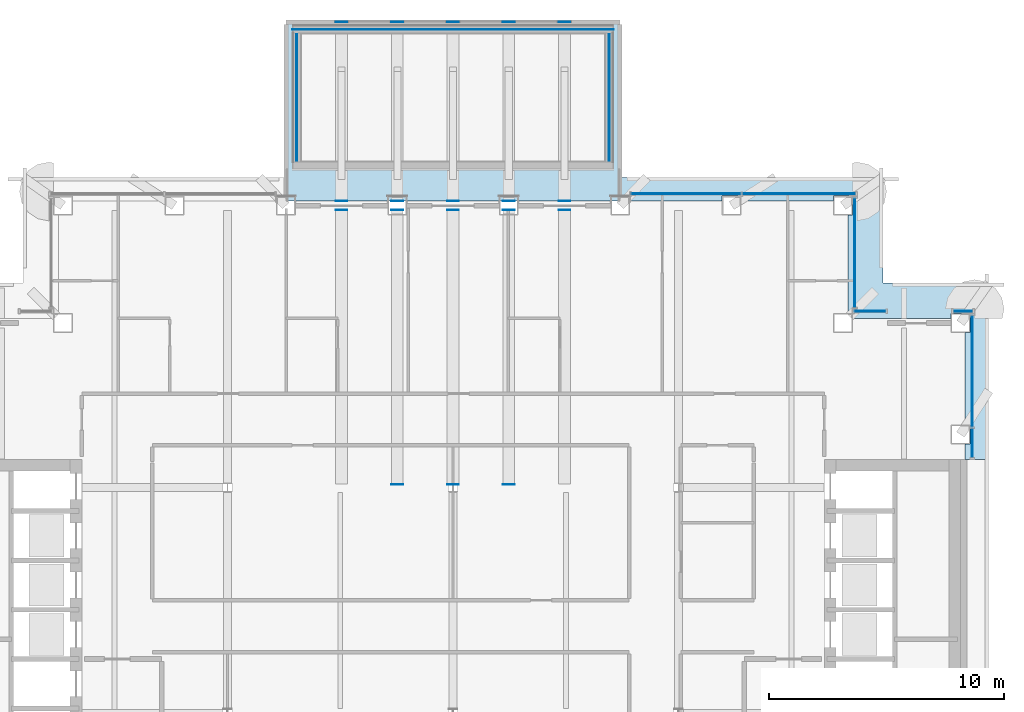
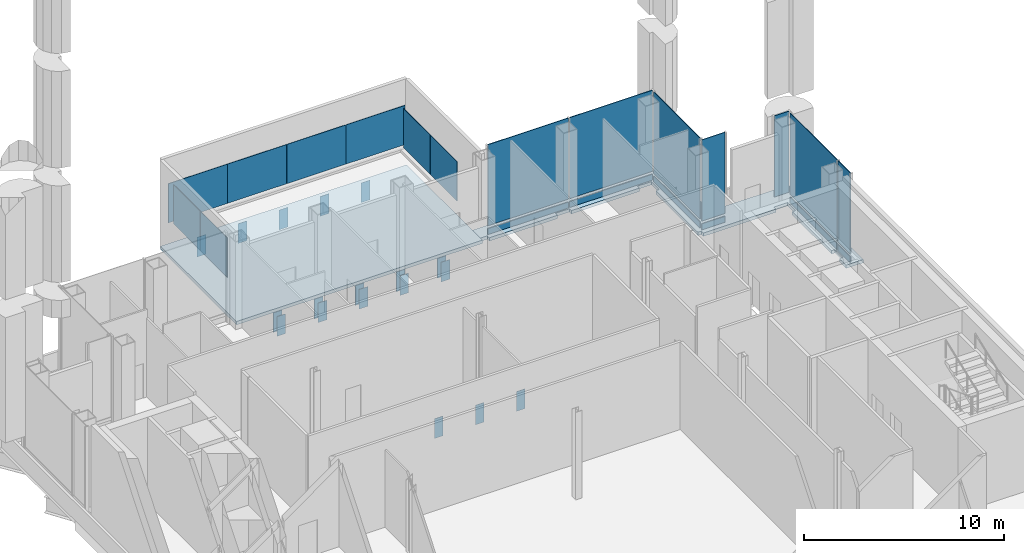
# One storey, part 9 of 22: 39 plates, 2 slabs, 5 elements without a shape of their own.
"""IFC4 building model written with IfcOpenShell, lengths in metres."""

from ifc_helpers import new_model, si_unit, direction, frame, origin, origin_2d, place, context, subcontext, project, spatial, polyline, rectangle, outline, extrude, material, layer, layer_set, type_object, element, aggregate, save


model = new_model("IFC4")

# Units and contexts
model_context = context("Model", 3, precision=1e-05, world=origin(), true_north=direction((0.0, 1.0)))
body_context = subcontext(model_context, "Body", "Model", "MODEL_VIEW")
ifc_project = project(units=[si_unit("LENGTHUNIT", "METRE"), si_unit("AREAUNIT", "SQUARE_METRE"), si_unit("VOLUMEUNIT", "CUBIC_METRE"), si_unit("PLANEANGLEUNIT", "RADIAN"), si_unit("MASSUNIT", "GRAM", prefix="KILO")], contexts=[model_context])

# Site, building, storey
site_placement = place(None, origin())
site = spatial("IfcSite", under=ifc_project, at=site_placement, CompositionType="ELEMENT")
building_placement = place(site_placement, origin())
building = spatial("IfcBuilding", under=site, at=building_placement, Name="Cobrizo Arcos Hotel Tower", CompositionType="ELEMENT")
storey_placement = place(building_placement, frame((0.0, 0.0, 142.5)))
storey = spatial("IfcBuildingStorey", under=building, at=storey_placement, Name="L36", CompositionType="ELEMENT", Elevation=142.5)

# Curtain wall, plates
ifc_material_1 = material(Name="Aluminium 6063-T6 anodised bronze", Category="aluminium")
curtain_wall_type = type_object("IfcCurtainWallType", Name="CW-E sky lobby glazing", PredefinedType="NOTDEFINED", material=ifc_material_1)
curtain_wall_1_placement = place(storey_placement, origin())
curtain_wall_1 = element("IfcCurtainWall", 1, at=curtain_wall_1_placement, inside=storey, type_object=curtain_wall_type, Name="CW-E L36 E face", PredefinedType="NOTDEFINED")
ifc_material_2 = material(Name="Glass clear laminated low-e", Category="glass")
ifc_layer_1 = layer(ifc_material_2, 0.050048828125)
ifc_layer_set_1 = layer_set([ifc_layer_1], Name="CW-E glass panel")
plate_type_1 = type_object("IfcPlateType", Name="CW-E glass panel", PredefinedType="CURTAIN_PANEL", material=ifc_layer_set_1)
plate_1_placement = place(storey_placement, frame((22.10009765625, 11.491455078125, 0.5400390625), z_axis=(0.0, 0.0, 1.0), x_axis=(0.0, 1.0, 0.0)))
plate_1 = element("IfcPlate", 2, at=plate_1_placement, type_object=plate_type_1, Name="CW-E glass panel 1318", PredefinedType="CURTAIN_PANEL", context=body_context, shape_type="SweptSolid", body=[
    extrude(rectangle(XDim=1.222900390625, YDim=0.0400390625, at=origin_2d()), origin(), (0.0, 0.0, 1.0), 4.9599609375),
])
plate_2_placement = place(storey_placement, frame((22.10009765625, 14.551513671875, 0.5400390625), z_axis=(0.0, 0.0, 1.0), x_axis=(0.0, 1.0, 0.0)))
plate_2 = element("IfcPlate", 3, at=plate_2_placement, type_object=plate_type_1, Name="CW-E glass panel 1319", PredefinedType="CURTAIN_PANEL", context=body_context, shape_type="SweptSolid", body=[
    extrude(rectangle(XDim=4.737060546875, YDim=0.0400390625, at=origin_2d()), origin(), (0.0, 0.0, 1.0), 4.9599609375),
])

# Curtain wall, plate
curtain_wall_2_placement = place(storey_placement, origin())
curtain_wall_2 = element("IfcCurtainWall", 4, at=curtain_wall_2_placement, inside=storey, type_object=curtain_wall_type, Name="CW-E L36 N face", PredefinedType="NOTDEFINED")
plate_3_placement = place(storey_placement, frame((21.699951171875, 17.10009765625, 0.5400390625), z_axis=(0.0, 0.0, 1.0), x_axis=(-1.0, 0.0, 0.0)))
plate_3 = element("IfcPlate", 5, at=plate_3_placement, type_object=plate_type_1, Name="CW-E glass panel 1320", PredefinedType="CURTAIN_PANEL", context=body_context, shape_type="SweptSolid", body=[
    extrude(rectangle(XDim=0.840087890625, YDim=0.0400390625, at=origin_2d()), origin(), (0.0, 0.0, 1.0), 4.9599609375),
])
aggregate(curtain_wall_2, [plate_3])

curtain_wall_3_placement = place(storey_placement, origin())
curtain_wall_3 = element("IfcCurtainWall", 6, at=curtain_wall_3_placement, inside=storey, type_object=curtain_wall_type, Name="CW-E L36 N face", PredefinedType="NOTDEFINED")
plate_4_placement = place(storey_placement, frame((17.75, 17.10009765625, 0.5400390625), z_axis=(0.0, 0.0, 1.0), x_axis=(-1.0, 0.0, 0.0)))
plate_4 = element("IfcPlate", 7, at=plate_4_placement, type_object=plate_type_1, Name="CW-E glass panel 1321", PredefinedType="CURTAIN_PANEL", context=body_context, shape_type="SweptSolid", body=[
    extrude(rectangle(XDim=1.340087890625, YDim=0.0400390625, at=origin_2d()), origin(), (0.0, 0.0, 1.0), 4.9599609375),
])

curtain_wall_4_placement = place(storey_placement, origin())
curtain_wall_4 = element("IfcCurtainWall", 8, at=curtain_wall_4_placement, inside=storey, type_object=curtain_wall_type, Name="CW-E L36 E face", PredefinedType="NOTDEFINED")
plate_5_placement = place(storey_placement, frame((17.10009765625, 19.60009765625, 0.5400390625), z_axis=(0.0, 0.0, 1.0), x_axis=(0.0, 1.0, 0.0)))
plate_5 = element("IfcPlate", 9, at=plate_5_placement, type_object=plate_type_1, Name="CW-E glass panel 1322", PredefinedType="CURTAIN_PANEL", context=body_context, shape_type="SweptSolid", body=[
    extrude(rectangle(XDim=4.639892578125, YDim=0.0400390625, at=origin_2d()), origin(), (0.0, 0.0, 1.0), 4.9599609375),
])

# Curtain wall, plates
curtain_wall_5_placement = place(storey_placement, origin())
curtain_wall_5 = element("IfcCurtainWall", 10, at=curtain_wall_5_placement, inside=storey, type_object=curtain_wall_type, Name="CW-E L36 N face", PredefinedType="NOTDEFINED")
plate_6_placement = place(storey_placement, frame((14.722900390625, 22.10009765625, 0.5400390625), z_axis=(0.0, 0.0, 1.0), x_axis=(-1.0, 0.0, 0.0)))
plate_6 = element("IfcPlate", 11, at=plate_6_placement, type_object=plate_type_1, Name="CW-E glass panel 1323", PredefinedType="CURTAIN_PANEL", context=body_context, shape_type="SweptSolid", body=[
    extrude(rectangle(XDim=4.794189453125, YDim=0.0400390625, at=origin_2d()), origin(), (0.0, 0.0, 1.0), 4.9599609375),
])
plate_7_placement = place(storey_placement, frame((9.919921875, 22.10009765625, 0.5400390625), z_axis=(0.0, 0.0, 1.0), x_axis=(-1.0, 0.0, 0.0)))
plate_7 = element("IfcPlate", 12, at=plate_7_placement, type_object=plate_type_1, Name="CW-E glass panel 1324", PredefinedType="CURTAIN_PANEL", context=body_context, shape_type="SweptSolid", body=[
    extrude(rectangle(XDim=4.651611328125, YDim=0.0400390625, at=origin_2d()), origin(), (0.0, 0.0, 1.0), 4.9599609375),
])

# Plate
ifc_material_3 = material(Name="Aluminium composite panel pale metal", Category="aluminium")
ifc_layer_2 = layer(ifc_material_3, 0.0400390625)
ifc_layer_set_2 = layer_set([ifc_layer_2], Name="CW-E spandrel panel")
plate_type_2 = type_object("IfcPlateType", Name="CW-E spandrel panel", PredefinedType="CURTAIN_PANEL", material=ifc_layer_set_2)
plate_8_placement = place(storey_placement, frame((22.10009765625, 11.491455078125, 0.0), z_axis=(0.0, 0.0, 1.0), x_axis=(0.0, 1.0, 0.0)))
plate_8 = element("IfcPlate", 13, at=plate_8_placement, type_object=plate_type_2, Name="CW-E spandrel panel 1318", PredefinedType="CURTAIN_PANEL", context=body_context, shape_type="SweptSolid", body=[
    extrude(rectangle(XDim=1.222900390625, YDim=0.0400390625, at=origin_2d()), origin(), (0.0, 0.0, 1.0), 0.360107421875),
])

plate_9_placement = place(storey_placement, frame((22.10009765625, 14.551513671875, 0.0), z_axis=(0.0, 0.0, 1.0), x_axis=(0.0, 1.0, 0.0)))
plate_9 = element("IfcPlate", 14, at=plate_9_placement, type_object=plate_type_2, Name="CW-E spandrel panel 1319", PredefinedType="CURTAIN_PANEL", context=body_context, shape_type="SweptSolid", body=[
    extrude(rectangle(XDim=4.737060546875, YDim=0.0400390625, at=origin_2d()), origin(), (0.0, 0.0, 1.0), 0.360107421875),
])

aggregate(curtain_wall_1, [plate_8, plate_1, plate_9, plate_2])

plate_10_placement = place(storey_placement, frame((17.75, 17.10009765625, 0.0), z_axis=(0.0, 0.0, 1.0), x_axis=(-1.0, 0.0, 0.0)))
plate_10 = element("IfcPlate", 15, at=plate_10_placement, type_object=plate_type_2, Name="CW-E spandrel panel 1321", PredefinedType="CURTAIN_PANEL", context=body_context, shape_type="SweptSolid", body=[
    extrude(rectangle(XDim=1.340087890625, YDim=0.0400390625, at=origin_2d()), origin(), (0.0, 0.0, 1.0), 0.360107421875),
])

aggregate(curtain_wall_3, [plate_10, plate_4])

plate_11_placement = place(storey_placement, frame((17.10009765625, 19.60009765625, 0.0), z_axis=(0.0, 0.0, 1.0), x_axis=(0.0, 1.0, 0.0)))
plate_11 = element("IfcPlate", 16, at=plate_11_placement, type_object=plate_type_2, Name="CW-E spandrel panel 1322", PredefinedType="CURTAIN_PANEL", context=body_context, shape_type="SweptSolid", body=[
    extrude(rectangle(XDim=4.639892578125, YDim=0.0400390625, at=origin_2d()), origin(), (0.0, 0.0, 1.0), 0.360107421875),
])

aggregate(curtain_wall_4, [plate_11, plate_5])

plate_12_placement = place(storey_placement, frame((14.722900390625, 22.10009765625, 0.0), z_axis=(0.0, 0.0, 1.0), x_axis=(-1.0, 0.0, 0.0)))
plate_12 = element("IfcPlate", 17, at=plate_12_placement, type_object=plate_type_2, Name="CW-E spandrel panel 1323", PredefinedType="CURTAIN_PANEL", context=body_context, shape_type="SweptSolid", body=[
    extrude(rectangle(XDim=4.794189453125, YDim=0.0400390625, at=origin_2d()), origin(), (0.0, 0.0, 1.0), 0.360107421875),
])

plate_13_placement = place(storey_placement, frame((9.919921875, 22.10009765625, 0.0), z_axis=(0.0, 0.0, 1.0), x_axis=(-1.0, 0.0, 0.0)))
plate_13 = element("IfcPlate", 18, at=plate_13_placement, type_object=plate_type_2, Name="CW-E spandrel panel 1324", PredefinedType="CURTAIN_PANEL", context=body_context, shape_type="SweptSolid", body=[
    extrude(rectangle(XDim=4.651611328125, YDim=0.0400390625, at=origin_2d()), origin(), (0.0, 0.0, 1.0), 0.360107421875),
])

aggregate(curtain_wall_5, [plate_12, plate_6, plate_13, plate_7])

# Plates
ifc_layer_3 = layer(ifc_material_2, 0.030029296875)
ifc_layer_set_3 = layer_set([ifc_layer_3], Name="PB-5 pool windscreen glass 30")
plate_type_3 = type_object("IfcPlateType", Name="PB-5 pool windscreen glass 30", PredefinedType="SHEET", material=ifc_layer_set_3)
plate_14_placement = place(storey_placement, frame((-5.142578125, 29.10009765625, 1.52001953125), z_axis=(0.0, 0.0, 1.0), x_axis=(1.0, 0.0, 0.0)))
element("IfcPlate", 19, at=plate_14_placement, inside=storey, type_object=plate_type_3, Name="Pool windscreen glass 1", PredefinedType="SHEET", context=body_context, shape_type="SweptSolid", body=[
    extrude(rectangle(XDim=3.4150390625, YDim=0.030029296875, at=origin_2d()), origin(), (0.0, 0.0, 1.0), 2.39990234375),
])
for number, where, z_axis, x_axis, name in (
    (20, (-1.71240234375, 29.10009765625, 1.52001953125), (0.0, 0.0, 1.0), (1.0, 0.0, 0.0), "Pool windscreen glass 2"),
    (21, (1.71240234375, 29.10009765625, 1.52001953125), (0.0, 0.0, 1.0), (1.0, 0.0, 0.0), "Pool windscreen glass 3"),
):
    element("IfcPlate", number, at=place(storey_placement, frame(where, z_axis=z_axis, x_axis=x_axis)), inside=storey, type_object=plate_type_3, Name=name, PredefinedType="SHEET", context=body_context, shape_type="SweptSolid", body=[
        extrude(rectangle(XDim=3.405029296875, YDim=0.030029296875, at=origin_2d()), origin(), (0.0, 0.0, 1.0), 2.39990234375),
    ])
plate_15_placement = place(storey_placement, frame((5.142578125, 29.10009765625, 1.52001953125), z_axis=(0.0, 0.0, 1.0), x_axis=(1.0, 0.0, 0.0)))
element("IfcPlate", 22, at=plate_15_placement, inside=storey, type_object=plate_type_3, Name="Pool windscreen glass 4", PredefinedType="SHEET", context=body_context, shape_type="SweptSolid", body=[
    extrude(rectangle(XDim=3.4150390625, YDim=0.030029296875, at=origin_2d()), origin(), (0.0, 0.0, 1.0), 2.39990234375),
])
for number, where, z_axis, x_axis, name in (
    (23, (-6.64990234375, 24.845458984375, 1.52001953125), (0.0, 0.0, 1.0), (1.0, 0.0, 0.0), "Pool windscreen glass 5"),
    (24, (-6.64990234375, 27.55517578125, 1.52001953125), (0.0, 0.0, 1.0), (1.0, 0.0, 0.0), "Pool windscreen glass 6"),
    (25, (6.64990234375, 24.845458984375, 1.52001953125), (0.0, 0.0, 1.0), (1.0, 0.0, 0.0), "Pool windscreen glass 7"),
    (26, (6.64990234375, 27.55517578125, 1.52001953125), (0.0, 0.0, 1.0), (1.0, 0.0, 0.0), "Pool windscreen glass 8"),
):
    element("IfcPlate", number, at=place(storey_placement, frame(where, z_axis=z_axis, x_axis=x_axis)), inside=storey, type_object=plate_type_3, Name=name, PredefinedType="SHEET", context=body_context, shape_type="SweptSolid", body=[
        extrude(rectangle(XDim=0.030029296875, YDim=2.689697265625, at=origin_2d()), origin(), (0.0, 0.0, 1.0), 2.39990234375),
    ])
ifc_material_4 = material(Name="Steel ASTM A572 Grade 50", Category="steel")
ifc_layer_4 = layer(ifc_material_4, 0.02001953125)
ifc_layer_set_4 = layer_set([ifc_layer_4], Name="Pool beam end plate 20")
plate_type_4 = type_object("IfcPlateType", Name="Pool beam end plate 20", PredefinedType="SHEET", material=ifc_layer_set_4)
for number, where, z_axis, x_axis, name in (
    (27, (-4.742919921875, 29.409912109375, -1.39990234375), (0.0, 0.0, 1.0), (1.0, 0.0, 0.0), "Pool beam tip end plate PE1, L36, no. 1"),
    (28, (-4.742919921875, 21.409423828125, -1.39990234375), (0.0, 0.0, 1.0), (1.0, 0.0, 0.0), "Pool back-span end plate PE1, L36, no. 1"),
    (29, (-4.742919921875, 21.79052734375, -1.39990234375), (0.0, 0.0, 1.0), (1.0, 0.0, 0.0), "Pool cantilever end plate PE1, L36, no. 1"),
    (30, (-2.371337890625, 29.409912109375, -1.39990234375), (0.0, 0.0, 1.0), (1.0, 0.0, 0.0), "Pool beam tip end plate PE1, L36, no. 2"),
    (31, (-2.371337890625, 9.739990234375, -1.39990234375), (0.0, 0.0, 1.0), (1.0, 0.0, 0.0), "Pool beam inner end plate PE1, L36, no. 2"),
    (32, (-2.371337890625, 21.409423828125, -1.39990234375), (0.0, 0.0, 1.0), (1.0, 0.0, 0.0), "Pool back-span end plate PE1, L36, no. 2"),
    (33, (-2.371337890625, 21.79052734375, -1.39990234375), (0.0, 0.0, 1.0), (1.0, 0.0, 0.0), "Pool cantilever end plate PE1, L36, no. 2"),
    (34, (0.0, 29.409912109375, -1.39990234375), (0.0, 0.0, 1.0), (1.0, 0.0, 0.0), "Pool beam tip end plate PE1, L36, no. 3"),
    (35, (0.0, 9.739990234375, -1.39990234375), (0.0, 0.0, 1.0), (1.0, 0.0, 0.0), "Pool beam inner end plate PE1, L36, no. 3"),
    (36, (0.0, 21.409423828125, -1.39990234375), (0.0, 0.0, 1.0), (1.0, 0.0, 0.0), "Pool back-span end plate PE1, L36, no. 3"),
    (37, (0.0, 21.79052734375, -1.39990234375), (0.0, 0.0, 1.0), (1.0, 0.0, 0.0), "Pool cantilever end plate PE1, L36, no. 3"),
    (38, (2.371337890625, 29.409912109375, -1.39990234375), (0.0, 0.0, 1.0), (1.0, 0.0, 0.0), "Pool beam tip end plate PE1, L36, no. 4"),
    (39, (2.371337890625, 9.739990234375, -1.39990234375), (0.0, 0.0, 1.0), (1.0, 0.0, 0.0), "Pool beam inner end plate PE1, L36, no. 4"),
    (40, (2.371337890625, 21.409423828125, -1.39990234375), (0.0, 0.0, 1.0), (1.0, 0.0, 0.0), "Pool back-span end plate PE1, L36, no. 4"),
    (41, (2.371337890625, 21.79052734375, -1.39990234375), (0.0, 0.0, 1.0), (1.0, 0.0, 0.0), "Pool cantilever end plate PE1, L36, no. 4"),
    (42, (4.742919921875, 29.409912109375, -1.39990234375), (0.0, 0.0, 1.0), (1.0, 0.0, 0.0), "Pool beam tip end plate PE1, L36, no. 5"),
    (43, (4.742919921875, 21.409423828125, -1.39990234375), (0.0, 0.0, 1.0), (1.0, 0.0, 0.0), "Pool back-span end plate PE1, L36, no. 5"),
    (44, (4.742919921875, 21.79052734375, -1.39990234375), (0.0, 0.0, 1.0), (1.0, 0.0, 0.0), "Pool cantilever end plate PE1, L36, no. 5"),
):
    element("IfcPlate", number, at=place(storey_placement, frame(where, z_axis=z_axis, x_axis=x_axis)), inside=storey, type_object=plate_type_4, Name=name, PredefinedType="SHEET", context=body_context, shape_type="SweptSolid", body=[
        extrude(rectangle(XDim=0.5, YDim=0.02001953125, at=origin_2d()), origin(), (0.0, 0.0, 1.0), 1.199951171875),
    ])

# Slabs
ifc_material_5 = material(Name="Concrete f'c 35 MPa", Category="concrete")
ifc_layer_5 = layer(ifc_material_5, 0.199951171875)
ifc_layer_set_5 = layer_set([ifc_layer_5], Name="RC pool deck slab 200 f'c 35")
slab_type_1 = type_object("IfcSlabType", Name="RC pool deck slab 200 f'c 35", PredefinedType="FLOOR", material=ifc_layer_set_5)
slab_1_placement = place(storey_placement, frame((0.0, 0.0, -0.199951171875)))
element("IfcSlab", 45, at=slab_1_placement, inside=storey, type_object=slab_type_1, Name="Pool deck slab PD1, L36", PredefinedType="FLOOR", context=body_context, shape_type="SweptSolid", body=[
    extrude(outline(polyline([(7.114013671875, 21.800537109375), (7.114013671875, 29.39990234375), (-7.114013671875, 29.39990234375), (-7.114013671875, 21.800537109375), (7.114013671875, 21.800537109375)])), origin(), (0.0, 0.0, 1.0), 0.199951171875),
])
ifc_layer_6 = layer(ifc_material_5, 0.199951171875)
ifc_layer_set_6 = layer_set([ifc_layer_6], Name="RC roof slab 200 f'c 35")
slab_type_2 = type_object("IfcSlabType", Name="RC roof slab 200 f'c 35", PredefinedType="ROOF", material=ifc_layer_set_6)
slab_2_placement = place(storey_placement, frame((0.0, 0.0, -0.199951171875)))
element("IfcSlab", 46, at=slab_2_placement, inside=storey, type_object=slab_type_2, Name="Roof slab RS4, L36, no. 03", PredefinedType="ROOF", context=body_context, shape_type="SweptSolid", body=[
    extrude(outline(polyline([(18.300048828125, 22.800048828125), (18.300048828125, 18.300048828125), (22.800048828125, 18.300048828125), (22.800048828125, 10.800048828125), (21.800048828125, 10.800048828125), (21.800048828125, 11.45703125), (22.0, 11.45703125), (22.0, 12.257080078125), (21.800048828125, 12.257080078125), (21.800048828125, 16.199951171875), (22.0, 16.199951171875), (22.0, 17.0), (21.199951171875, 17.0), (21.199951171875, 16.800048828125), (17.0, 16.800048828125), (17.0, 17.0), (16.800048828125, 17.0), (16.800048828125, 21.199951171875), (17.0, 21.199951171875), (17.0, 22.0), (16.199951171875, 22.0), (16.199951171875, 21.800048828125), (12.257080078125, 21.800048828125), (12.257080078125, 22.0), (11.45703125, 22.0), (11.45703125, 21.800048828125), (7.513916015625, 21.800048828125), (7.513916015625, 22.0), (7.114013671875, 22.0), (7.114013671875, 22.800048828125), (18.300048828125, 22.800048828125)])), origin(), (0.0, 0.0, 1.0), 0.199951171875),
])

save(model, "model.ifc")
